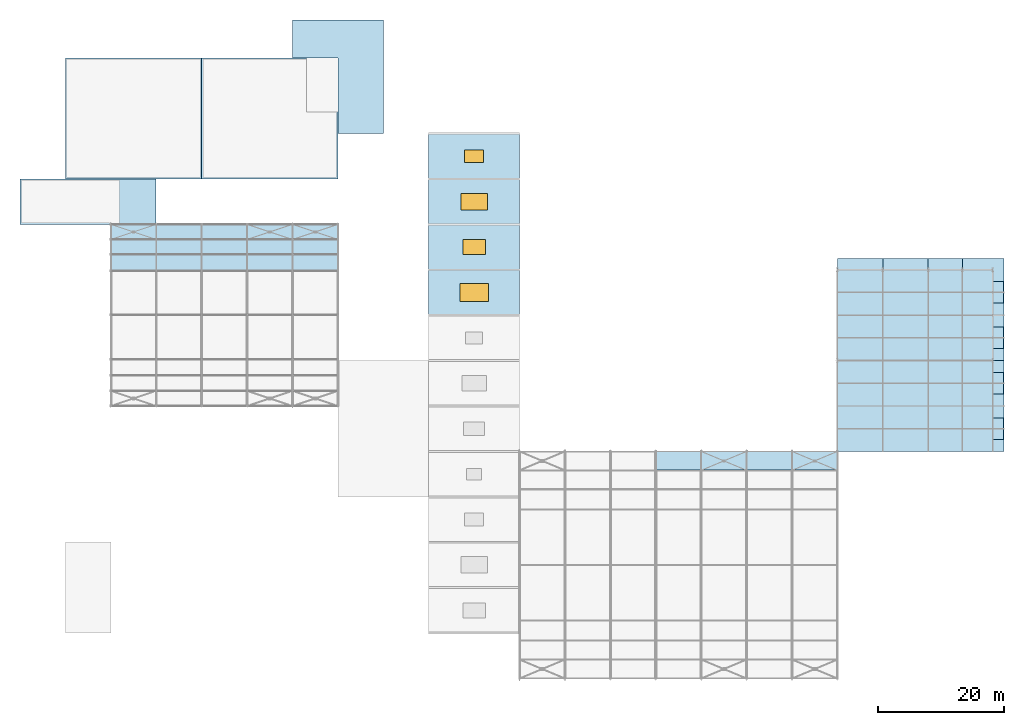
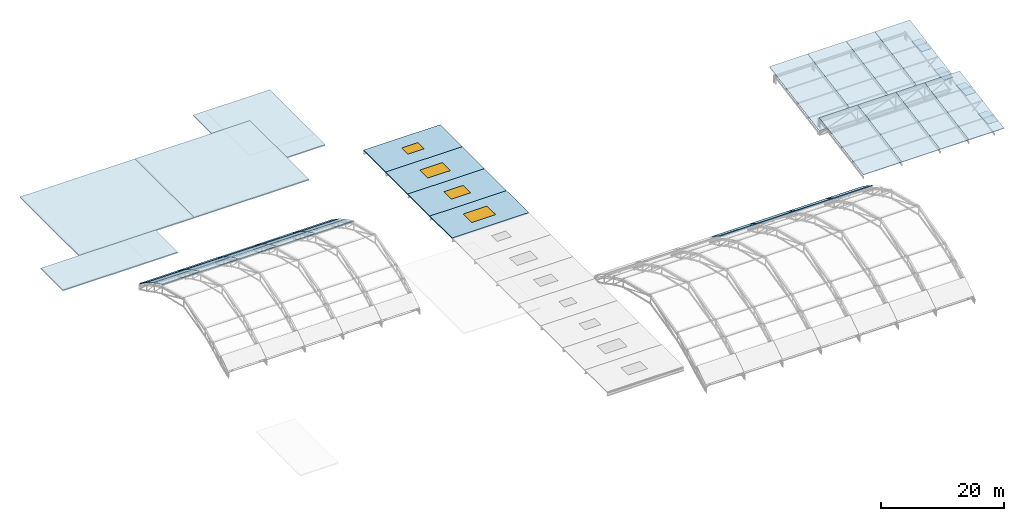
# One storey, part 36 of 63: 35 slabs, 4 plates, 4 windows, 4 openings, 4 elements without a shape of their own.
"""IFC4 building model written with IfcOpenShell, lengths in metres."""

import ifcopenshell
import ifcopenshell.guid

model = None  # the IFC model being written
_history = None  # IfcOwnerHistory: only IFC2X3 demands one
_inside = {}  # id of a spatial element -> (the spatial element, [elements in it])
_under = {}  # id of a project, library or spatial element -> (it, [spatial elements below it])
_declared = {}  # id of a project -> (the project, [libraries it declares])
_typed = {}  # id of a type object -> (the type object, [elements of that type])
_made_of = {}  # id of a material, layer set ... -> (it, [elements and type objects made of it])


def new_model(schema):
    """Start an empty IFC model of exactly this schema.

    Asked for "IFC4X3", IfcOpenShell would pick the latest addendum, in which some entities
    have other attributes; the version numbers below select the first issue.
    IFC2X3 requires an IfcOwnerHistory on every rooted entity: one is made here for all.
    """
    global model, _history
    if schema == "IFC4X3":
        model = ifcopenshell.file(schema_version=(4, 3, 0, 0))
    else:
        model = ifcopenshell.file(schema=schema)
    _inside.clear()
    _under.clear()
    _declared.clear()
    _typed.clear()
    _made_of.clear()
    _history = None
    if model.schema == "IFC2X3":
        org = make("IfcOrganization", Name="unknown")
        user = make(
            "IfcPersonAndOrganization",
            ThePerson=make("IfcPerson", FamilyName="unknown"),
            TheOrganization=org,
        )
        app = make(
            "IfcApplication",
            ApplicationDeveloper=org,
            Version="unknown",
            ApplicationFullName="unknown",
            ApplicationIdentifier="unknown",
        )
        _history = make(
            "IfcOwnerHistory",
            OwningUser=user,
            OwningApplication=app,
            ChangeAction="ADDED",
            CreationDate=0,
        )
    return model


def make(cls, **values):
    """One entity of the class cls with the attributes given. An attribute that is None is left unset."""
    return model.create_entity(
        cls, **{name: value for name, value in values.items() if value is not None}
    )


def rooted(cls, **values):
    """An entity with a GlobalId (a new one), such as an element, a storey or a relation."""
    return make(cls, GlobalId=ifcopenshell.guid.new(), OwnerHistory=_history, **values)


def si_unit(unit_type, name, prefix=None):
    """IfcSIUnit, for example si_unit("LENGTHUNIT", "METRE", prefix="MILLI")."""
    return make("IfcSIUnit", UnitType=unit_type, Prefix=prefix, Name=name)


def assignment(units):
    """IfcUnitAssignment: the units of a project."""
    return None if units is None else make("IfcUnitAssignment", Units=units)


def point(xyz):
    """IfcCartesianPoint."""
    return None if xyz is None else make("IfcCartesianPoint", Coordinates=xyz)


def direction(xyz):
    """IfcDirection."""
    return None if xyz is None else make("IfcDirection", DirectionRatios=xyz)


def frame(location, z_axis=None, x_axis=None):
    """IfcAxis2Placement3D, a coordinate frame: its origin and axes. An axis left out is left unset."""
    return make(
        "IfcAxis2Placement3D",
        Location=point(location),
        Axis=direction(z_axis),
        RefDirection=direction(x_axis),
    )


def frame_2d(location, x_axis=None):
    """IfcAxis2Placement2D, a coordinate frame in the plane: its origin and x axis."""
    return make(
        "IfcAxis2Placement2D", Location=point(location), RefDirection=direction(x_axis)
    )


def origin():
    """The frame at (0, 0, 0) with its axes left unset."""
    return frame((0.0, 0.0, 0.0))


def origin_2d():
    """The frame at (0, 0) in the plane with its x axis left unset."""
    return frame_2d((0.0, 0.0))


def place(relative_to, where):
    """IfcLocalPlacement: puts the frame where relative to a parent placement (None: the world)."""
    return make(
        "IfcLocalPlacement", PlacementRelTo=relative_to, RelativePlacement=where
    )


def context(
    kind, dimensions, precision=None, world=None, true_north=None, identifier=None
):
    """IfcGeometricRepresentationContext, for example the 3D "Model" context."""
    return make(
        "IfcGeometricRepresentationContext",
        ContextIdentifier=identifier,
        ContextType=kind,
        CoordinateSpaceDimension=dimensions,
        Precision=precision,
        WorldCoordinateSystem=world,
        TrueNorth=true_north,
    )


def subcontext(parent, identifier, kind, view, scale=None):
    """IfcGeometricRepresentationSubContext, for example "Body" below "Model"."""
    return make(
        "IfcGeometricRepresentationSubContext",
        ContextIdentifier=identifier,
        ContextType=kind,
        ParentContext=parent,
        TargetScale=scale,
        TargetView=view,
    )


def project(units=None, contexts=None):
    """IfcProject with its units and contexts."""
    return rooted(
        "IfcProject",
        Name="project",
        RepresentationContexts=contexts,
        UnitsInContext=assignment(units),
    )


def spatial(cls, under=None, at=None, **own):
    """A site, building, storey or space (cls), placed at a placement, below another one or the project."""
    s = rooted(cls, ObjectPlacement=at, **own)
    if under is not None:
        _under.setdefault(under.id(), (under, []))[1].append(s)
    return s


def polyline(points):
    """IfcPolyline through the points."""
    return make("IfcPolyline", Points=[point(p) for p in points])


def profile(cls, at=None, kind="AREA", **sizes):
    """A parametric profile (cls). Its sizes go by their IFC names, for example OverallWidth=200.0."""
    return make(cls, ProfileType=kind, Position=at, **sizes)


def rectangle(**sizes):
    """IfcRectangleProfileDef."""
    return profile("IfcRectangleProfileDef", **sizes)


def outline(outer, holes=None, kind="AREA"):
    """IfcArbitraryClosedProfileDef: a profile drawn as a closed curve; with holes, ...WithVoids."""
    if holes is None:
        return make("IfcArbitraryClosedProfileDef", ProfileType=kind, OuterCurve=outer)
    return make(
        "IfcArbitraryProfileDefWithVoids",
        ProfileType=kind,
        OuterCurve=outer,
        InnerCurves=holes,
    )


def extrude(swept, where, along, depth):
    """IfcExtrudedAreaSolid: the profile swept, set in the frame where, extruded along a direction by depth."""
    return make(
        "IfcExtrudedAreaSolid",
        SweptArea=swept,
        Position=where,
        ExtrudedDirection=direction(along),
        Depth=depth,
    )


def shape(context_of_items, identifier, shape_type, items):
    """IfcShapeRepresentation: the items that make up one representation, for example the "Body"."""
    return make(
        "IfcShapeRepresentation",
        ContextOfItems=context_of_items,
        RepresentationIdentifier=identifier,
        RepresentationType=shape_type,
        Items=items,
    )


def material(Name=None, Category=None):
    """IfcMaterial."""
    return make("IfcMaterial", Name=Name, Category=Category)


def layer(
    of_material, thickness, ventilated=None, Name=None, Category=None, Priority=None
):
    """IfcMaterialLayer: one layer of a wall or slab, of a material (None: an air gap)."""
    return make(
        "IfcMaterialLayer",
        Material=of_material,
        LayerThickness=thickness,
        IsVentilated=ventilated,
        Name=Name,
        Category=Category,
        Priority=Priority,
    )


def layer_set(layers, Name=None):
    """IfcMaterialLayerSet."""
    return make("IfcMaterialLayerSet", MaterialLayers=layers, LayerSetName=Name)


def made_of(thing, what):
    """Note that an element or type object is made of a material, layer set ...; save() writes the relation."""
    if what is not None:
        _made_of.setdefault(what.id(), (what, []))[1].append(thing)
    return thing


def type_object(cls, material=None, **own):
    """A type object (cls), such as IfcWallType, which elements share."""
    return made_of(rooted(cls, **own), material)


def element(
    cls,
    number,
    at=None,
    inside=None,
    cuts=None,
    type_object=None,
    material=None,
    context=None,
    identifier="Body",
    shape_type=None,
    held_by="IfcProductDefinitionShape",
    body=None,
    shapes=None,
    **own,
):
    """One element of the class cls, such as IfcWall. Its Tag is "e" and its number.

    at: its placement. inside: the storey or other place that contains it. cuts: it is an
    opening in that element (IfcRelVoidsElement). A single representation is given by context,
    identifier, shape_type and body (its items); several are given by shapes. held_by: the class
    of the entity that holds the representations. save() writes the other relations.
    """
    e = rooted(cls, Tag="e%d" % number, ObjectPlacement=at, **own)
    if body is not None:
        shapes = [shape(context, identifier, shape_type, body)]
    if shapes is not None:
        e.Representation = make(held_by, Representations=shapes)
    if inside is not None:
        _inside.setdefault(inside.id(), (inside, []))[1].append(e)
    if cuts is not None:
        rooted(
            "IfcRelVoidsElement", RelatingBuildingElement=cuts, RelatedOpeningElement=e
        )
    if type_object is not None:
        _typed.setdefault(type_object.id(), (type_object, []))[1].append(e)
    return made_of(e, material)


def fill(opening, filler):
    """IfcRelFillsElement: the door or window that sits in an opening."""
    return rooted(
        "IfcRelFillsElement",
        RelatingOpeningElement=opening,
        RelatedBuildingElement=filler,
    )


def aggregate(whole, parts):
    """IfcRelAggregates: a whole, such as a stair, and the parts it consists of."""
    return rooted("IfcRelAggregates", RelatingObject=whole, RelatedObjects=parts)


def save(model, path):
    """Write the relations noted so far, then the file.

    IfcRelAggregates (storeys below a building ...), IfcRelContainedInSpatialStructure (elements
    in a storey), IfcRelDefinesByType, IfcRelAssociatesMaterial and IfcRelDeclares: one each for
    every whole, place, type object, material and project.
    """
    for whole, parts in _under.values():
        aggregate(whole, parts)
    for where, things in _inside.values():
        rooted(
            "IfcRelContainedInSpatialStructure",
            RelatedElements=things,
            RelatingStructure=where,
        )
    for kind, things in _typed.values():
        rooted("IfcRelDefinesByType", RelatedObjects=things, RelatingType=kind)
    for what, things in _made_of.values():
        rooted("IfcRelAssociatesMaterial", RelatedObjects=things, RelatingMaterial=what)
    for by, libraries in _declared.values():
        rooted("IfcRelDeclares", RelatingContext=by, RelatedDefinitions=libraries)
    model.write(path)


model = new_model("IFC4")

# Units and contexts
model_context = context("Model", 3, precision=1e-05, world=origin(), true_north=direction((0.0, 1.0)))
body_context = subcontext(model_context, "Body", "Model", "MODEL_VIEW")
ifc_project = project(units=[si_unit("LENGTHUNIT", "METRE"), si_unit("AREAUNIT", "SQUARE_METRE"), si_unit("VOLUMEUNIT", "CUBIC_METRE"), si_unit("PLANEANGLEUNIT", "RADIAN"), si_unit("MASSUNIT", "GRAM", prefix="KILO")], contexts=[model_context])

# Site, building, storey
site_placement = place(None, origin())
site = spatial("IfcSite", under=ifc_project, at=site_placement, CompositionType="ELEMENT")
building_placement = place(site_placement, origin())
building = spatial("IfcBuilding", under=site, at=building_placement, Name="Solvadek Multi-Sports Hall", CompositionType="ELEMENT")
storey_placement = place(building_placement, frame((0.0, 0.0, 19.199951171875)))
storey = spatial("IfcBuildingStorey", under=building, at=storey_placement, Name="RF", CompositionType="ELEMENT", Elevation=19.199951171875)

# Plates
ifc_material_1 = material(Name="Teak hardwood timber", Category="wood")
ifc_layer_1 = layer(ifc_material_1, 0.080078125, Name="Teak hardwood timber")
ifc_layer_set_1 = layer_set([ifc_layer_1], Name="Teak hardwood timber")
plate_type = type_object("IfcPlateType", Name="ENV-SHT-EAV1", PredefinedType="SHEET", material=ifc_layer_set_1)
for number, where, z_axis, x_axis, name in (
    (1, (162.25, 45.60009765625, -0.4052734375), (0.0, 0.0, 1.0), (1.0, 0.0, 0.0), "V2 Overhanging Eave Cassette Panel #1"),
    (2, (162.25, 52.800048828125, 0.894775390625), (0.0, 0.0, 1.0), (1.0, 0.0, 0.0), "V2 Overhanging Eave Cassette Panel #2"),
    (3, (162.25, 60.0, -0.41064453125), (0.0, 0.0, 1.0), (1.0, 0.0, 0.0), "V2 Overhanging Eave Cassette Panel #3"),
    (4, (162.25, 67.199951171875, 0.878173828125), (0.0, 0.0, 1.0), (1.0, 0.0, 0.0), "V2 Overhanging Eave Cassette Panel #4"),
):
    element("IfcPlate", number, at=place(storey_placement, frame(where, z_axis=z_axis, x_axis=x_axis)), inside=storey, type_object=plate_type, Name=name, PredefinedType="SHEET", context=body_context, shape_type="SweptSolid", body=[
        extrude(rectangle(XDim=1.75, YDim=3.39990234375, at=origin_2d()), origin(), (0.0, 0.0, 1.0), 0.06005859375),
    ])

# Roof, slabs
ifc_material_2 = material(Name="Steel E350 (350 MPa)", Category="steel")
roof_type_1 = type_object("IfcRoofType", Name="STR-ROOF-BARREL", PredefinedType="BARREL_ROOF", material=ifc_material_2)
roof_1_placement = place(storey_placement, origin())
roof_1 = element("IfcRoof", 5, at=roof_1_placement, inside=storey, type_object=roof_type_1, Name="V2 Climbing Pavilion North-Light Roof", PredefinedType="BARREL_ROOF")
ifc_material_3 = material(Name="Verdigris-coated precast concrete M40", Category="concrete")
ifc_layer_2 = layer(ifc_material_3, 0.135009765625, Name="Verdigris-coated precast concrete M40")
ifc_layer_set_2 = layer_set([ifc_layer_2], Name="Verdigris-coated precast concrete M40")
slab_type_1 = type_object("IfcSlabType", Name="STR-SLB-ROOF135", PredefinedType="ROOF", material=ifc_layer_set_2)
slab_1_placement = place(storey_placement, frame((136.800048828125, 42.0, -0.599853515625), z_axis=(0.0, -0.177670844673, 0.984089970965), x_axis=(1.0, 0.0, 0.0)))
slab_1 = element("IfcSlab", 6, at=slab_1_placement, type_object=slab_type_1, Name="V2 North-Light Clerestory Roof Slab 1.1", PredefinedType="ROOF", context=body_context, shape_type="SweptSolid", body=[
    extrude(outline(polyline([(0.0, 0.0), (7.199951171875, 0.0), (7.199951171875, 14.61236597950925), (0.0, 14.61236597950925), (0.0, 0.0)])), origin(), (0.0, 0.0, -1.0), 0.135009765625),
])
slab_2_placement = place(storey_placement, frame((136.800048828125, 56.39990234375, -0.599853515625), z_axis=(0.0, -0.176203420065, 0.984353775203), x_axis=(1.0, 0.0, 0.0)))
slab_2 = element("IfcSlab", 7, at=slab_2_placement, type_object=slab_type_1, Name="V2 North-Light Clerestory Roof Slab 1.2", PredefinedType="ROOF", context=body_context, shape_type="SweptSolid", body=[
    extrude(outline(polyline([(0.0, 0.0), (7.199951171875, 0.0), (7.199951171875, 16.457696125716797), (0.0, 16.457696125716797), (0.0, 0.0)])), origin(), (0.0, 0.0, -1.0), 0.135009765625),
])
slab_3_placement = place(storey_placement, frame((144.0, 42.0, -0.599853515625), z_axis=(0.0, -0.177670844673, 0.984089970965), x_axis=(1.0, 0.0, 0.0)))
slab_3 = element("IfcSlab", 8, at=slab_3_placement, type_object=slab_type_1, Name="V2 North-Light Clerestory Roof Slab 2.1", PredefinedType="ROOF", context=body_context, shape_type="SweptSolid", body=[
    extrude(outline(polyline([(0.0, 0.0), (7.199951171875, 0.0), (7.199951171875, 14.61236597950925), (0.0, 14.61236597950925), (0.0, 0.0)])), origin(), (0.0, 0.0, -1.0), 0.135009765625),
])
slab_4_placement = place(storey_placement, frame((144.0, 56.39990234375, -0.599853515625), z_axis=(0.0, -0.176203420065, 0.984353775203), x_axis=(1.0, 0.0, 0.0)))
slab_4 = element("IfcSlab", 9, at=slab_4_placement, type_object=slab_type_1, Name="V2 North-Light Clerestory Roof Slab 2.2", PredefinedType="ROOF", context=body_context, shape_type="SweptSolid", body=[
    extrude(outline(polyline([(0.0, 0.0), (7.199951171875, 0.0), (7.199951171875, 16.457696125716797), (0.0, 16.457696125716797), (0.0, 0.0)])), origin(), (0.0, 0.0, -1.0), 0.135009765625),
])
slab_5_placement = place(storey_placement, frame((151.199951171875, 42.0, -0.599853515625), z_axis=(0.0, -0.177670844673, 0.984089970965), x_axis=(1.0, 0.0, 0.0)))
slab_5 = element("IfcSlab", 10, at=slab_5_placement, type_object=slab_type_1, Name="V2 North-Light Clerestory Roof Slab 3.1", PredefinedType="ROOF", context=body_context, shape_type="SweptSolid", body=[
    extrude(outline(polyline([(0.0, 0.0), (5.400146484375, 0.0), (5.400146484375, 14.61236597950925), (0.0, 14.61236597950925), (0.0, 0.0)])), origin(), (0.0, 0.0, -1.0), 0.135009765625),
])
slab_6_placement = place(storey_placement, frame((151.199951171875, 56.39990234375, -0.599853515625), z_axis=(0.0, -0.176203420065, 0.984353775203), x_axis=(1.0, 0.0, 0.0)))
slab_6 = element("IfcSlab", 11, at=slab_6_placement, type_object=slab_type_1, Name="V2 North-Light Clerestory Roof Slab 3.2", PredefinedType="ROOF", context=body_context, shape_type="SweptSolid", body=[
    extrude(outline(polyline([(0.0, 0.0), (5.400146484375, 0.0), (5.400146484375, 16.4576961257168), (0.0, 16.4576961257168), (0.0, 0.0)])), origin(), (0.0, 0.0, -1.0), 0.135009765625),
])
slab_7_placement = place(storey_placement, frame((156.60009765625, 42.0, -0.599853515625), z_axis=(0.0, -0.177670844673, 0.984089970965), x_axis=(1.0, 0.0, 0.0)))
slab_7 = element("IfcSlab", 12, at=slab_7_placement, type_object=slab_type_1, Name="V2 North-Light Clerestory Roof Slab 4.1", PredefinedType="ROOF", context=body_context, shape_type="SweptSolid", body=[
    extrude(outline(polyline([(0.0, 0.0), (6.599853515625, 0.0), (6.599853515625, 14.61236597950925), (0.0, 14.61236597950925), (0.0, 0.0)])), origin(), (0.0, 0.0, -1.0), 0.135009765625),
])
slab_8_placement = place(storey_placement, frame((156.60009765625, 56.39990234375, -0.599853515625), z_axis=(0.0, -0.176203420065, 0.984353775203), x_axis=(1.0, 0.0, 0.0)))
slab_8 = element("IfcSlab", 13, at=slab_8_placement, type_object=slab_type_1, Name="V2 North-Light Clerestory Roof Slab 4.2", PredefinedType="ROOF", context=body_context, shape_type="SweptSolid", body=[
    extrude(outline(polyline([(0.0, 0.0), (6.599853515625, 0.0), (6.599853515625, 16.4576961257168), (0.0, 16.4576961257168), (0.0, 0.0)])), origin(), (0.0, 0.0, -1.0), 0.135009765625),
])
aggregate(roof_1, [slab_1, slab_2, slab_3, slab_4, slab_5, slab_6, slab_7, slab_8])

roof_2_placement = place(storey_placement, origin())
roof_2 = element("IfcRoof", 14, at=roof_2_placement, inside=storey, type_object=roof_type_1, Name="V1 Competition Hall Barrel Vault Roof", PredefinedType="BARREL_ROOF")
ifc_layer_3 = layer(ifc_material_3, 0.14990234375, Name="Verdigris-coated precast concrete M40")
ifc_layer_set_3 = layer_set([ifc_layer_3], Name="Verdigris-coated precast concrete M40")
slab_type_2 = type_object("IfcSlabType", Name="STR-SLB-ROOF150", PredefinedType="ROOF", material=ifc_layer_set_3)
slab_9_placement = place(storey_placement, frame((108.0, 39.035888671875, -0.890869140625), z_axis=(0.0, 0.555458630564, 0.831544171847), x_axis=(1.0, 0.0, 0.0)))
slab_9 = element("IfcSlab", 15, at=slab_9_placement, type_object=slab_type_2, Name="V1 Vaulted Roof Deck Bay 4.8", PredefinedType="ROOF", context=body_context, shape_type="SweptSolid", body=[
    extrude(outline(polyline([(0.0, 0.0), (7.199951171875, 0.0), (7.199951171875, 3.5645867393220243), (0.0, 3.5645867393220243), (0.0, 0.0)])), origin(), (0.0, 0.0, -1.0), 0.14990234375),
])
slab_10_placement = place(storey_placement, frame((115.199951171875, 39.035888671875, -0.890869140625), z_axis=(0.0, 0.555458630564, 0.831544171847), x_axis=(1.0, 0.0, 0.0)))
slab_10 = element("IfcSlab", 16, at=slab_10_placement, type_object=slab_type_2, Name="V1 Vaulted Roof Deck Bay 5.8", PredefinedType="ROOF", context=body_context, shape_type="SweptSolid", body=[
    extrude(outline(polyline([(0.0, 0.0), (7.199951171875, 0.0), (7.199951171875, 3.5645867393220243), (0.0, 3.5645867393220243), (0.0, 0.0)])), origin(), (0.0, 0.0, -1.0), 0.14990234375),
])
slab_11_placement = place(storey_placement, frame((122.39990234375, 39.035888671875, -0.890869140625), z_axis=(0.0, 0.555458630564, 0.831544171847), x_axis=(1.0, 0.0, 0.0)))
slab_11 = element("IfcSlab", 17, at=slab_11_placement, type_object=slab_type_2, Name="V1 Vaulted Roof Deck Bay 6.8", PredefinedType="ROOF", context=body_context, shape_type="SweptSolid", body=[
    extrude(outline(polyline([(0.0, 0.0), (7.2001953125, 0.0), (7.2001953125, 3.5645867393220243), (0.0, 3.5645867393220243), (0.0, 0.0)])), origin(), (0.0, 0.0, -1.0), 0.14990234375),
])
slab_12_placement = place(storey_placement, frame((129.60009765625, 39.035888671875, -0.890869140625), z_axis=(0.0, 0.555458630564, 0.831544171847), x_axis=(1.0, 0.0, 0.0)))
slab_12 = element("IfcSlab", 18, at=slab_12_placement, type_object=slab_type_2, Name="V1 Vaulted Roof Deck Bay 7.8", PredefinedType="ROOF", context=body_context, shape_type="SweptSolid", body=[
    extrude(outline(polyline([(0.0, 0.0), (7.199951171875, 0.0), (7.199951171875, 3.5645867393220243), (0.0, 3.5645867393220243), (0.0, 0.0)])), origin(), (0.0, 0.0, -1.0), 0.14990234375),
])
aggregate(roof_2, [slab_9, slab_10, slab_11, slab_12])

roof_3_placement = place(storey_placement, origin())
roof_3 = element("IfcRoof", 19, at=roof_3_placement, inside=storey, type_object=roof_type_1, Name="V4 Training Hall Barrel Vault Roof", PredefinedType="BARREL_ROOF")
slab_13_placement = place(storey_placement, frame((21.60009765625, 70.635986328125, 0.599365234375), z_axis=(0.0, 0.424942223511, 0.905220474071), x_axis=(1.0, 0.0, 0.0)))
slab_13 = element("IfcSlab", 20, at=slab_13_placement, type_object=slab_type_2, Name="V4 Vaulted Roof Deck Bay 1.6", PredefinedType="ROOF", context=body_context, shape_type="SweptSolid", body=[
    extrude(outline(polyline([(0.0, 0.0), (7.199951171875, 0.0), (7.199951171875, 2.792773964231769), (0.0, 2.792773964231769), (0.0, 0.0)])), origin(), (0.0, 0.0, -1.0), 0.14990234375),
])
slab_14_placement = place(storey_placement, frame((21.60009765625, 73.236083984375, -0.625244140625), z_axis=(0.0, 0.501222281362, 0.865318568312), x_axis=(1.0, 0.0, 0.0)))
slab_14 = element("IfcSlab", 21, at=slab_14_placement, type_object=slab_type_2, Name="V4 Vaulted Roof Deck Bay 1.7", PredefinedType="ROOF", context=body_context, shape_type="SweptSolid", body=[
    extrude(outline(polyline([(0.0, 0.0), (7.199951171875, 0.0), (7.199951171875, 2.690200978716147), (0.0, 2.690200978716147), (0.0, 0.0)])), origin(), (0.0, 0.0, -1.0), 0.14990234375),
])
slab_15_placement = place(storey_placement, frame((21.60009765625, 75.635986328125, -2.01953125), z_axis=(0.0, 0.570149335317, 0.821541073494), x_axis=(1.0, 0.0, 0.0)))
slab_15 = element("IfcSlab", 22, at=slab_15_placement, type_object=slab_type_2, Name="V4 Vaulted Roof Deck Bay 1.8", PredefinedType="ROOF", context=body_context, shape_type="SweptSolid", body=[
    extrude(outline(polyline([(0.0, 0.0), (7.199951171875, 0.0), (7.199951171875, 2.8775355830010025), (0.0, 2.8775355830010025), (0.0, 0.0)])), origin(), (0.0, 0.0, -1.0), 0.14990234375),
])
slab_16_placement = place(storey_placement, frame((28.800048828125, 70.635986328125, 0.599365234375), z_axis=(0.0, 0.424942223511, 0.905220474071), x_axis=(1.0, 0.0, 0.0)))
slab_16 = element("IfcSlab", 23, at=slab_16_placement, type_object=slab_type_2, Name="V4 Vaulted Roof Deck Bay 2.6", PredefinedType="ROOF", context=body_context, shape_type="SweptSolid", body=[
    extrude(outline(polyline([(0.0, 0.0), (7.199951171875, 0.0), (7.199951171875, 2.792773964231769), (0.0, 2.792773964231769), (0.0, 0.0)])), origin(), (0.0, 0.0, -1.0), 0.14990234375),
])
slab_17_placement = place(storey_placement, frame((28.800048828125, 73.236083984375, -0.625244140625), z_axis=(0.0, 0.501222281362, 0.865318568312), x_axis=(1.0, 0.0, 0.0)))
slab_17 = element("IfcSlab", 24, at=slab_17_placement, type_object=slab_type_2, Name="V4 Vaulted Roof Deck Bay 2.7", PredefinedType="ROOF", context=body_context, shape_type="SweptSolid", body=[
    extrude(outline(polyline([(0.0, 0.0), (7.199951171875, 0.0), (7.199951171875, 2.690200978716147), (0.0, 2.690200978716147), (0.0, 0.0)])), origin(), (0.0, 0.0, -1.0), 0.14990234375),
])
slab_18_placement = place(storey_placement, frame((28.800048828125, 75.635986328125, -2.01953125), z_axis=(0.0, 0.570149335317, 0.821541073494), x_axis=(1.0, 0.0, 0.0)))
slab_18 = element("IfcSlab", 25, at=slab_18_placement, type_object=slab_type_2, Name="V4 Vaulted Roof Deck Bay 2.8", PredefinedType="ROOF", context=body_context, shape_type="SweptSolid", body=[
    extrude(outline(polyline([(0.0, 0.0), (7.199951171875, 0.0), (7.199951171875, 2.8775355830010025), (0.0, 2.8775355830010025), (0.0, 0.0)])), origin(), (0.0, 0.0, -1.0), 0.14990234375),
])
slab_19_placement = place(storey_placement, frame((36.0, 70.635986328125, 0.599365234375), z_axis=(0.0, 0.424942223511, 0.905220474071), x_axis=(1.0, 0.0, 0.0)))
slab_19 = element("IfcSlab", 26, at=slab_19_placement, type_object=slab_type_2, Name="V4 Vaulted Roof Deck Bay 3.6", PredefinedType="ROOF", context=body_context, shape_type="SweptSolid", body=[
    extrude(outline(polyline([(0.0, 0.0), (7.199951171875, 0.0), (7.199951171875, 2.792773964231769), (0.0, 2.792773964231769), (0.0, 0.0)])), origin(), (0.0, 0.0, -1.0), 0.14990234375),
])
slab_20_placement = place(storey_placement, frame((36.0, 73.236083984375, -0.625244140625), z_axis=(0.0, 0.501222281362, 0.865318568312), x_axis=(1.0, 0.0, 0.0)))
slab_20 = element("IfcSlab", 27, at=slab_20_placement, type_object=slab_type_2, Name="V4 Vaulted Roof Deck Bay 3.7", PredefinedType="ROOF", context=body_context, shape_type="SweptSolid", body=[
    extrude(outline(polyline([(0.0, 0.0), (7.199951171875, 0.0), (7.199951171875, 2.690200978716147), (0.0, 2.690200978716147), (0.0, 0.0)])), origin(), (0.0, 0.0, -1.0), 0.14990234375),
])
slab_21_placement = place(storey_placement, frame((36.0, 75.635986328125, -2.01953125), z_axis=(0.0, 0.570149335317, 0.821541073494), x_axis=(1.0, 0.0, 0.0)))
slab_21 = element("IfcSlab", 28, at=slab_21_placement, type_object=slab_type_2, Name="V4 Vaulted Roof Deck Bay 3.8", PredefinedType="ROOF", context=body_context, shape_type="SweptSolid", body=[
    extrude(outline(polyline([(0.0, 0.0), (7.199951171875, 0.0), (7.199951171875, 2.8775355830010025), (0.0, 2.8775355830010025), (0.0, 0.0)])), origin(), (0.0, 0.0, -1.0), 0.14990234375),
])
slab_22_placement = place(storey_placement, frame((43.199951171875, 70.635986328125, 0.599365234375), z_axis=(0.0, 0.424942223511, 0.905220474071), x_axis=(1.0, 0.0, 0.0)))
slab_22 = element("IfcSlab", 29, at=slab_22_placement, type_object=slab_type_2, Name="V4 Vaulted Roof Deck Bay 4.6", PredefinedType="ROOF", context=body_context, shape_type="SweptSolid", body=[
    extrude(outline(polyline([(0.0, 0.0), (7.199951171875, 0.0), (7.199951171875, 2.792773964231769), (0.0, 2.792773964231769), (0.0, 0.0)])), origin(), (0.0, 0.0, -1.0), 0.14990234375),
])
slab_23_placement = place(storey_placement, frame((43.199951171875, 73.236083984375, -0.625244140625), z_axis=(0.0, 0.501222281362, 0.865318568312), x_axis=(1.0, 0.0, 0.0)))
slab_23 = element("IfcSlab", 30, at=slab_23_placement, type_object=slab_type_2, Name="V4 Vaulted Roof Deck Bay 4.7", PredefinedType="ROOF", context=body_context, shape_type="SweptSolid", body=[
    extrude(outline(polyline([(0.0, 0.0), (7.199951171875, 0.0), (7.199951171875, 2.690200978716147), (0.0, 2.690200978716147), (0.0, 0.0)])), origin(), (0.0, 0.0, -1.0), 0.14990234375),
])
slab_24_placement = place(storey_placement, frame((43.199951171875, 75.635986328125, -2.01953125), z_axis=(0.0, 0.570149335317, 0.821541073494), x_axis=(1.0, 0.0, 0.0)))
slab_24 = element("IfcSlab", 31, at=slab_24_placement, type_object=slab_type_2, Name="V4 Vaulted Roof Deck Bay 4.8", PredefinedType="ROOF", context=body_context, shape_type="SweptSolid", body=[
    extrude(outline(polyline([(0.0, 0.0), (7.199951171875, 0.0), (7.199951171875, 2.8775355830010025), (0.0, 2.8775355830010025), (0.0, 0.0)])), origin(), (0.0, 0.0, -1.0), 0.14990234375),
])
slab_25_placement = place(storey_placement, frame((50.39990234375, 70.635986328125, 0.599365234375), z_axis=(0.0, 0.424942223511, 0.905220474071), x_axis=(1.0, 0.0, 0.0)))
slab_25 = element("IfcSlab", 32, at=slab_25_placement, type_object=slab_type_2, Name="V4 Vaulted Roof Deck Bay 5.6", PredefinedType="ROOF", context=body_context, shape_type="SweptSolid", body=[
    extrude(outline(polyline([(0.0, 0.0), (7.2001953125, 0.0), (7.2001953125, 2.792773964231769), (0.0, 2.792773964231769), (0.0, 0.0)])), origin(), (0.0, 0.0, -1.0), 0.14990234375),
])
slab_26_placement = place(storey_placement, frame((50.39990234375, 73.236083984375, -0.625244140625), z_axis=(0.0, 0.501222281362, 0.865318568312), x_axis=(1.0, 0.0, 0.0)))
slab_26 = element("IfcSlab", 33, at=slab_26_placement, type_object=slab_type_2, Name="V4 Vaulted Roof Deck Bay 5.7", PredefinedType="ROOF", context=body_context, shape_type="SweptSolid", body=[
    extrude(outline(polyline([(0.0, 0.0), (7.2001953125, 0.0), (7.2001953125, 2.690200978716147), (0.0, 2.690200978716147), (0.0, 0.0)])), origin(), (0.0, 0.0, -1.0), 0.14990234375),
])
slab_27_placement = place(storey_placement, frame((50.39990234375, 75.635986328125, -2.01953125), z_axis=(0.0, 0.570149335317, 0.821541073494), x_axis=(1.0, 0.0, 0.0)))
slab_27 = element("IfcSlab", 34, at=slab_27_placement, type_object=slab_type_2, Name="V4 Vaulted Roof Deck Bay 5.8", PredefinedType="ROOF", context=body_context, shape_type="SweptSolid", body=[
    extrude(outline(polyline([(0.0, 0.0), (7.2001953125, 0.0), (7.2001953125, 2.8775355830010025), (0.0, 2.8775355830010025), (0.0, 0.0)])), origin(), (0.0, 0.0, -1.0), 0.14990234375),
])
aggregate(roof_3, [slab_13, slab_14, slab_15, slab_16, slab_17, slab_18, slab_19, slab_20, slab_21, slab_22, slab_23, slab_24, slab_25, slab_26, slab_27])

# Roof, slabs, openings, windows
ifc_material_4 = material(Name="Concrete M35", Category="concrete")
roof_type_2 = type_object("IfcRoofType", Name="STR-ROOF-FLAT", PredefinedType="FLAT_ROOF", material=ifc_material_4)
roof_4_placement = place(storey_placement, origin())
roof_4 = element("IfcRoof", 35, at=roof_4_placement, inside=storey, type_object=roof_type_2, Name="V3 Glazed Passage Portal Roof", PredefinedType="FLAT_ROOF")
ifc_layer_4 = layer(ifc_material_4, 0.199951171875, Name="Concrete M35")
ifc_layer_set_4 = layer_set([ifc_layer_4], Name="Concrete M35")
slab_type_3 = type_object("IfcSlabType", Name="STR-SLB-ROOF200", PredefinedType="ROOF", material=ifc_layer_set_4)
slab_28_placement = place(storey_placement, frame((0.0, 0.0, -3.800048828125)))
slab_28 = element("IfcSlab", 36, at=slab_28_placement, type_object=slab_type_3, Name="V3 Skylit Passage Portal Roof Bay 8", PredefinedType="ROOF", context=body_context, shape_type="SweptSolid", body=[
    extrude(outline(polyline([(72.0, 63.60009765625), (86.39990234375, 63.60009765625), (86.39990234375, 70.800048828125), (72.0, 70.800048828125), (72.0, 63.60009765625)])), origin(), (0.0, 0.0, 1.0), 0.2001953125),
])
opening_1_placement = place(slab_28_placement, frame((79.199951171875, 67.199951171875, 0.0)))
opening_1 = element("IfcOpeningElement", 37, at=opening_1_placement, cuts=slab_28, Name="Opening SK-08", PredefinedType="OPENING", context=body_context, shape_type="SweptSolid", body=[
    extrude(rectangle(XDim=4.5, YDim=2.800048828125, at=origin_2d()), frame((0.0, 0.0, -0.02001953125)), (0.0, 0.0, 1.0), 0.240234375),
])
ifc_material_5 = material(Name="Tempered laminated low-E glass", Category="glass")
window_type_1 = type_object("IfcWindowType", Name="ENV-SKY-SK-08", PartitioningType="SINGLE_PANEL", PredefinedType="SKYLIGHT", material=ifc_material_5)
window_1_placement = place(opening_1_placement, frame((0.0, 0.0, 0.150146484375)))
window_1 = element("IfcWindow", 38, at=window_1_placement, inside=storey, type_object=window_type_1, Name="Passage Roof Skylight Lantern #8", OverallHeight=2.800048828125, OverallWidth=4.5, PartitioningType="SINGLE_PANEL", PredefinedType="SKYLIGHT", context=body_context, shape_type="SweptSolid", body=[
    extrude(rectangle(XDim=4.5, YDim=2.800048828125, at=origin_2d()), origin(), (0.0, 0.0, 1.0), 0.050048828125),
])
fill(opening_1, window_1)
slab_29_placement = place(storey_placement, frame((0.0, 0.0, -3.800048828125)))
slab_29 = element("IfcSlab", 39, at=slab_29_placement, type_object=slab_type_3, Name="V3 Skylit Passage Portal Roof Bay 9", PredefinedType="ROOF", context=body_context, shape_type="SweptSolid", body=[
    extrude(outline(polyline([(72.0, 70.800048828125), (86.39990234375, 70.800048828125), (86.39990234375, 78.0), (72.0, 78.0), (72.0, 70.800048828125)])), origin(), (0.0, 0.0, 1.0), 0.2001953125),
])
opening_2_placement = place(slab_29_placement, frame((79.199951171875, 74.39990234375, 0.0)))
opening_2 = element("IfcOpeningElement", 40, at=opening_2_placement, cuts=slab_29, Name="Opening SK-01", PredefinedType="OPENING", context=body_context, shape_type="SweptSolid", body=[
    extrude(rectangle(XDim=3.60009765625, YDim=2.39990234375, at=origin_2d()), frame((0.0, 0.0, -0.02001953125)), (0.0, 0.0, 1.0), 0.240234375),
])
window_type_2 = type_object("IfcWindowType", Name="ENV-SKY-SK-01", PartitioningType="SINGLE_PANEL", PredefinedType="SKYLIGHT", material=ifc_material_5)
window_2_placement = place(opening_2_placement, frame((0.0, 0.0, 0.150146484375)))
window_2 = element("IfcWindow", 41, at=window_2_placement, inside=storey, type_object=window_type_2, Name="Passage Roof Skylight Lantern #9", OverallHeight=2.39990234375, OverallWidth=3.60009765625, PartitioningType="SINGLE_PANEL", PredefinedType="SKYLIGHT", context=body_context, shape_type="SweptSolid", body=[
    extrude(rectangle(XDim=3.60009765625, YDim=2.39990234375, at=origin_2d()), origin(), (0.0, 0.0, 1.0), 0.050048828125),
])
fill(opening_2, window_2)
slab_30_placement = place(storey_placement, frame((0.0, 0.0, -3.800048828125)))
slab_30 = element("IfcSlab", 42, at=slab_30_placement, type_object=slab_type_3, Name="V3 Skylit Passage Portal Roof Bay 10", PredefinedType="ROOF", context=body_context, shape_type="SweptSolid", body=[
    extrude(outline(polyline([(72.0, 78.0), (86.39990234375, 78.0), (86.39990234375, 85.199951171875), (72.0, 85.199951171875), (72.0, 78.0)])), origin(), (0.0, 0.0, 1.0), 0.2001953125),
])
opening_3_placement = place(slab_30_placement, frame((79.199951171875, 81.60009765625, 0.0)))
opening_3 = element("IfcOpeningElement", 43, at=opening_3_placement, cuts=slab_30, Name="Opening SK-02", PredefinedType="OPENING", context=body_context, shape_type="SweptSolid", body=[
    extrude(rectangle(XDim=4.199951171875, YDim=2.60009765625, at=origin_2d()), frame((0.0, 0.0, -0.02001953125)), (0.0, 0.0, 1.0), 0.240234375),
])
window_type_3 = type_object("IfcWindowType", Name="ENV-SKY-SK-02", PartitioningType="SINGLE_PANEL", PredefinedType="SKYLIGHT", material=ifc_material_5)
window_3_placement = place(opening_3_placement, frame((0.0, 0.0, 0.150146484375)))
window_3 = element("IfcWindow", 44, at=window_3_placement, inside=storey, type_object=window_type_3, Name="Passage Roof Skylight Lantern #10", OverallHeight=2.60009765625, OverallWidth=4.199951171875, PartitioningType="SINGLE_PANEL", PredefinedType="SKYLIGHT", context=body_context, shape_type="SweptSolid", body=[
    extrude(rectangle(XDim=4.199951171875, YDim=2.60009765625, at=origin_2d()), origin(), (0.0, 0.0, 1.0), 0.050048828125),
])
fill(opening_3, window_3)
slab_31_placement = place(storey_placement, frame((0.0, 0.0, -3.800048828125)))
slab_31 = element("IfcSlab", 45, at=slab_31_placement, type_object=slab_type_3, Name="V3 Skylit Passage Portal Roof Bay 11", PredefinedType="ROOF", context=body_context, shape_type="SweptSolid", body=[
    extrude(outline(polyline([(72.0, 85.199951171875), (86.39990234375, 85.199951171875), (86.39990234375, 92.39990234375), (72.0, 92.39990234375), (72.0, 85.199951171875)])), origin(), (0.0, 0.0, 1.0), 0.2001953125),
])
opening_4_placement = place(slab_31_placement, frame((79.199951171875, 88.800048828125, 0.0)))
opening_4 = element("IfcOpeningElement", 46, at=opening_4_placement, cuts=slab_31, Name="Opening SK-03", PredefinedType="OPENING", context=body_context, shape_type="SweptSolid", body=[
    extrude(rectangle(XDim=3.0, YDim=2.0, at=origin_2d()), frame((0.0, 0.0, -0.02001953125)), (0.0, 0.0, 1.0), 0.240234375),
])
window_type_4 = type_object("IfcWindowType", Name="ENV-SKY-SK-03", PartitioningType="SINGLE_PANEL", PredefinedType="SKYLIGHT", material=ifc_material_5)
window_4_placement = place(opening_4_placement, frame((0.0, 0.0, 0.150146484375)))
window_4 = element("IfcWindow", 47, at=window_4_placement, inside=storey, type_object=window_type_4, Name="Passage Roof Skylight Lantern #11", OverallHeight=2.0, OverallWidth=3.0, PartitioningType="SINGLE_PANEL", PredefinedType="SKYLIGHT", context=body_context, shape_type="SweptSolid", body=[
    extrude(rectangle(XDim=3.0, YDim=2.0, at=origin_2d()), origin(), (0.0, 0.0, 1.0), 0.050048828125),
])
fill(opening_4, window_4)
aggregate(roof_4, [slab_28, slab_29, slab_30, slab_31])

# Slabs
slab_32_placement = place(storey_placement, frame((0.0, 0.0, -0.199951171875)))
element("IfcSlab", 48, at=slab_32_placement, inside=storey, type_object=slab_type_3, Name="RF Flat Roof Slab v5-pav-roof-1", PredefinedType="ROOF", context=body_context, shape_type="SweptSolid", body=[
    extrude(outline(polyline([(14.39990234375, 85.199951171875), (36.0, 85.199951171875), (36.0, 104.39990234375), (14.39990234375, 104.39990234375), (14.39990234375, 85.199951171875)])), origin(), (0.0, 0.0, 1.0), 0.199951171875),
])
slab_33_placement = place(storey_placement, frame((0.0, 0.0, -0.199951171875)))
element("IfcSlab", 49, at=slab_33_placement, inside=storey, type_object=slab_type_3, Name="RF Flat Roof Slab v5-pav-roof-2", PredefinedType="ROOF", context=body_context, shape_type="SweptSolid", body=[
    extrude(outline(polyline([(57.60009765625, 104.39990234375), (57.60009765625, 85.199951171875), (36.0, 85.199951171875), (36.0, 104.39990234375), (57.60009765625, 104.39990234375)])), origin(), (0.0, 0.0, 1.0), 0.199951171875),
])
slab_34_placement = place(storey_placement, frame((0.0, 0.0, -0.199951171875)))
element("IfcSlab", 50, at=slab_34_placement, inside=storey, type_object=slab_type_3, Name="RF Flat Roof Slab headhouse-st02-roof", PredefinedType="ROOF", context=body_context, shape_type="SweptSolid", body=[
    extrude(outline(polyline([(28.800048828125, 78.0), (7.199951171875, 78.0), (7.199951171875, 85.199951171875), (14.39990234375, 85.199951171875), (28.800048828125, 85.199951171875), (28.800048828125, 78.0)])), origin(), (0.0, 0.0, 1.0), 0.199951171875),
])
slab_35_placement = place(storey_placement, frame((0.0, 0.0, -0.199951171875)))
element("IfcSlab", 51, at=slab_35_placement, inside=storey, type_object=slab_type_3, Name="RF Flat Roof Slab headhouse-st03-roof", PredefinedType="ROOF", context=body_context, shape_type="SweptSolid", body=[
    extrude(outline(polyline([(50.39990234375, 110.39990234375), (64.800048828125, 110.39990234375), (64.800048828125, 92.39990234375), (57.60009765625, 92.39990234375), (57.60009765625, 104.39990234375), (50.39990234375, 104.39990234375), (50.39990234375, 110.39990234375)])), origin(), (0.0, 0.0, 1.0), 0.199951171875),
])

save(model, "model.ifc")
